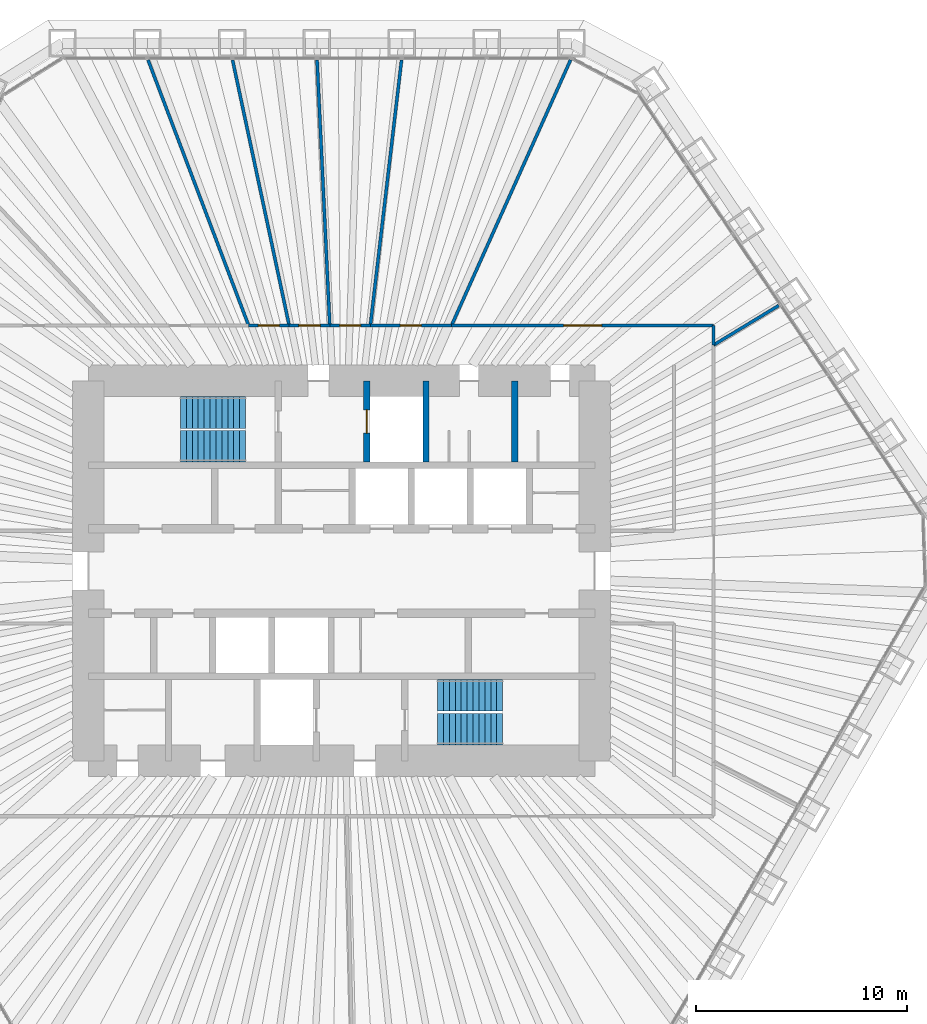
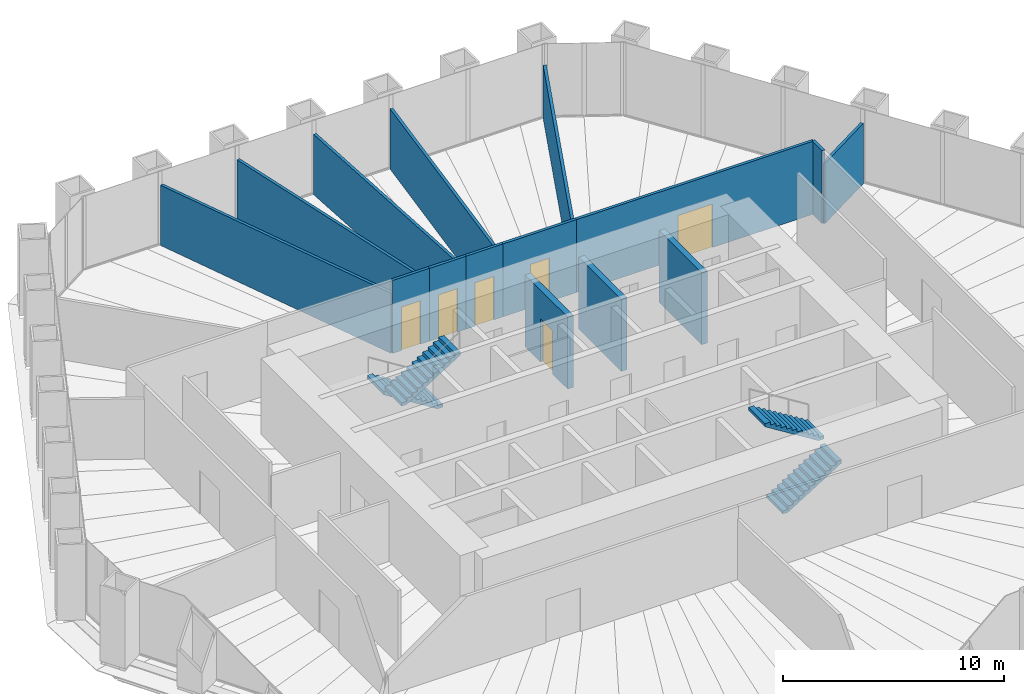
# One storey, part 12 of 13: 15 walls, 6 doors, 4 stair flights, 6 openings, 2 elements without a shape of their own.
"""IFC4 building model written with IfcOpenShell, lengths in metres."""

import ifcopenshell
import ifcopenshell.guid

model = None  # the IFC model being written
_history = None  # IfcOwnerHistory: only IFC2X3 demands one
_inside = {}  # id of a spatial element -> (the spatial element, [elements in it])
_under = {}  # id of a project, library or spatial element -> (it, [spatial elements below it])
_declared = {}  # id of a project -> (the project, [libraries it declares])
_typed = {}  # id of a type object -> (the type object, [elements of that type])
_made_of = {}  # id of a material, layer set ... -> (it, [elements and type objects made of it])


def new_model(schema):
    """Start an empty IFC model of exactly this schema.

    Asked for "IFC4X3", IfcOpenShell would pick the latest addendum, in which some entities
    have other attributes; the version numbers below select the first issue.
    IFC2X3 requires an IfcOwnerHistory on every rooted entity: one is made here for all.
    """
    global model, _history
    if schema == "IFC4X3":
        model = ifcopenshell.file(schema_version=(4, 3, 0, 0))
    else:
        model = ifcopenshell.file(schema=schema)
    _inside.clear()
    _under.clear()
    _declared.clear()
    _typed.clear()
    _made_of.clear()
    _history = None
    if model.schema == "IFC2X3":
        org = make("IfcOrganization", Name="unknown")
        user = make(
            "IfcPersonAndOrganization",
            ThePerson=make("IfcPerson", FamilyName="unknown"),
            TheOrganization=org,
        )
        app = make(
            "IfcApplication",
            ApplicationDeveloper=org,
            Version="unknown",
            ApplicationFullName="unknown",
            ApplicationIdentifier="unknown",
        )
        _history = make(
            "IfcOwnerHistory",
            OwningUser=user,
            OwningApplication=app,
            ChangeAction="ADDED",
            CreationDate=0,
        )
    return model


def make(cls, **values):
    """One entity of the class cls with the attributes given. An attribute that is None is left unset."""
    return model.create_entity(
        cls, **{name: value for name, value in values.items() if value is not None}
    )


def rooted(cls, **values):
    """An entity with a GlobalId (a new one), such as an element, a storey or a relation."""
    return make(cls, GlobalId=ifcopenshell.guid.new(), OwnerHistory=_history, **values)


def si_unit(unit_type, name, prefix=None):
    """IfcSIUnit, for example si_unit("LENGTHUNIT", "METRE", prefix="MILLI")."""
    return make("IfcSIUnit", UnitType=unit_type, Prefix=prefix, Name=name)


def assignment(units):
    """IfcUnitAssignment: the units of a project."""
    return None if units is None else make("IfcUnitAssignment", Units=units)


def point(xyz):
    """IfcCartesianPoint."""
    return None if xyz is None else make("IfcCartesianPoint", Coordinates=xyz)


def direction(xyz):
    """IfcDirection."""
    return None if xyz is None else make("IfcDirection", DirectionRatios=xyz)


def frame(location, z_axis=None, x_axis=None):
    """IfcAxis2Placement3D, a coordinate frame: its origin and axes. An axis left out is left unset."""
    return make(
        "IfcAxis2Placement3D",
        Location=point(location),
        Axis=direction(z_axis),
        RefDirection=direction(x_axis),
    )


def frame_2d(location, x_axis=None):
    """IfcAxis2Placement2D, a coordinate frame in the plane: its origin and x axis."""
    return make(
        "IfcAxis2Placement2D", Location=point(location), RefDirection=direction(x_axis)
    )


def origin():
    """The frame at (0, 0, 0) with its axes left unset."""
    return frame((0.0, 0.0, 0.0))


def place(relative_to, where):
    """IfcLocalPlacement: puts the frame where relative to a parent placement (None: the world)."""
    return make(
        "IfcLocalPlacement", PlacementRelTo=relative_to, RelativePlacement=where
    )


def context(
    kind, dimensions, precision=None, world=None, true_north=None, identifier=None
):
    """IfcGeometricRepresentationContext, for example the 3D "Model" context."""
    return make(
        "IfcGeometricRepresentationContext",
        ContextIdentifier=identifier,
        ContextType=kind,
        CoordinateSpaceDimension=dimensions,
        Precision=precision,
        WorldCoordinateSystem=world,
        TrueNorth=true_north,
    )


def subcontext(parent, identifier, kind, view, scale=None):
    """IfcGeometricRepresentationSubContext, for example "Body" below "Model"."""
    return make(
        "IfcGeometricRepresentationSubContext",
        ContextIdentifier=identifier,
        ContextType=kind,
        ParentContext=parent,
        TargetScale=scale,
        TargetView=view,
    )


def project(units=None, contexts=None):
    """IfcProject with its units and contexts."""
    return rooted(
        "IfcProject",
        Name="project",
        RepresentationContexts=contexts,
        UnitsInContext=assignment(units),
    )


def spatial(cls, under=None, at=None, **own):
    """A site, building, storey or space (cls), placed at a placement, below another one or the project."""
    s = rooted(cls, ObjectPlacement=at, **own)
    if under is not None:
        _under.setdefault(under.id(), (under, []))[1].append(s)
    return s


def polyline(points):
    """IfcPolyline through the points."""
    return make("IfcPolyline", Points=[point(p) for p in points])


def profile(cls, at=None, kind="AREA", **sizes):
    """A parametric profile (cls). Its sizes go by their IFC names, for example OverallWidth=200.0."""
    return make(cls, ProfileType=kind, Position=at, **sizes)


def rectangle(**sizes):
    """IfcRectangleProfileDef."""
    return profile("IfcRectangleProfileDef", **sizes)


def outline(outer, holes=None, kind="AREA"):
    """IfcArbitraryClosedProfileDef: a profile drawn as a closed curve; with holes, ...WithVoids."""
    if holes is None:
        return make("IfcArbitraryClosedProfileDef", ProfileType=kind, OuterCurve=outer)
    return make(
        "IfcArbitraryProfileDefWithVoids",
        ProfileType=kind,
        OuterCurve=outer,
        InnerCurves=holes,
    )


def extrude(swept, where, along, depth):
    """IfcExtrudedAreaSolid: the profile swept, set in the frame where, extruded along a direction by depth."""
    return make(
        "IfcExtrudedAreaSolid",
        SweptArea=swept,
        Position=where,
        ExtrudedDirection=direction(along),
        Depth=depth,
    )


def shape(context_of_items, identifier, shape_type, items):
    """IfcShapeRepresentation: the items that make up one representation, for example the "Body"."""
    return make(
        "IfcShapeRepresentation",
        ContextOfItems=context_of_items,
        RepresentationIdentifier=identifier,
        RepresentationType=shape_type,
        Items=items,
    )


def material(Name=None, Category=None):
    """IfcMaterial."""
    return make("IfcMaterial", Name=Name, Category=Category)


def layer(
    of_material, thickness, ventilated=None, Name=None, Category=None, Priority=None
):
    """IfcMaterialLayer: one layer of a wall or slab, of a material (None: an air gap)."""
    return make(
        "IfcMaterialLayer",
        Material=of_material,
        LayerThickness=thickness,
        IsVentilated=ventilated,
        Name=Name,
        Category=Category,
        Priority=Priority,
    )


def layer_set(layers, Name=None):
    """IfcMaterialLayerSet."""
    return make("IfcMaterialLayerSet", MaterialLayers=layers, LayerSetName=Name)


def made_of(thing, what):
    """Note that an element or type object is made of a material, layer set ...; save() writes the relation."""
    if what is not None:
        _made_of.setdefault(what.id(), (what, []))[1].append(thing)
    return thing


def type_object(cls, material=None, **own):
    """A type object (cls), such as IfcWallType, which elements share."""
    return made_of(rooted(cls, **own), material)


def element(
    cls,
    number,
    at=None,
    inside=None,
    cuts=None,
    type_object=None,
    material=None,
    context=None,
    identifier="Body",
    shape_type=None,
    held_by="IfcProductDefinitionShape",
    body=None,
    shapes=None,
    **own,
):
    """One element of the class cls, such as IfcWall. Its Tag is "e" and its number.

    at: its placement. inside: the storey or other place that contains it. cuts: it is an
    opening in that element (IfcRelVoidsElement). A single representation is given by context,
    identifier, shape_type and body (its items); several are given by shapes. held_by: the class
    of the entity that holds the representations. save() writes the other relations.
    """
    e = rooted(cls, Tag="e%d" % number, ObjectPlacement=at, **own)
    if body is not None:
        shapes = [shape(context, identifier, shape_type, body)]
    if shapes is not None:
        e.Representation = make(held_by, Representations=shapes)
    if inside is not None:
        _inside.setdefault(inside.id(), (inside, []))[1].append(e)
    if cuts is not None:
        rooted(
            "IfcRelVoidsElement", RelatingBuildingElement=cuts, RelatedOpeningElement=e
        )
    if type_object is not None:
        _typed.setdefault(type_object.id(), (type_object, []))[1].append(e)
    return made_of(e, material)


def fill(opening, filler):
    """IfcRelFillsElement: the door or window that sits in an opening."""
    return rooted(
        "IfcRelFillsElement",
        RelatingOpeningElement=opening,
        RelatedBuildingElement=filler,
    )


def aggregate(whole, parts):
    """IfcRelAggregates: a whole, such as a stair, and the parts it consists of."""
    return rooted("IfcRelAggregates", RelatingObject=whole, RelatedObjects=parts)


def save(model, path):
    """Write the relations noted so far, then the file.

    IfcRelAggregates (storeys below a building ...), IfcRelContainedInSpatialStructure (elements
    in a storey), IfcRelDefinesByType, IfcRelAssociatesMaterial and IfcRelDeclares: one each for
    every whole, place, type object, material and project.
    """
    for whole, parts in _under.values():
        aggregate(whole, parts)
    for where, things in _inside.values():
        rooted(
            "IfcRelContainedInSpatialStructure",
            RelatedElements=things,
            RelatingStructure=where,
        )
    for kind, things in _typed.values():
        rooted("IfcRelDefinesByType", RelatedObjects=things, RelatingType=kind)
    for what, things in _made_of.values():
        rooted("IfcRelAssociatesMaterial", RelatedObjects=things, RelatingMaterial=what)
    for by, libraries in _declared.values():
        rooted("IfcRelDeclares", RelatingContext=by, RelatedDefinitions=libraries)
    model.write(path)


model = new_model("IFC4")

# Units and contexts
model_context = context("Model", 3, precision=1e-05, world=origin(), true_north=direction((0.0, 1.0)))
body_context = subcontext(model_context, "Body", "Model", "MODEL_VIEW")
ifc_project = project(units=[si_unit("LENGTHUNIT", "METRE"), si_unit("AREAUNIT", "SQUARE_METRE"), si_unit("VOLUMEUNIT", "CUBIC_METRE"), si_unit("PLANEANGLEUNIT", "RADIAN"), si_unit("MASSUNIT", "GRAM", prefix="KILO")], contexts=[model_context])

# Site, building, storey
site_placement = place(None, origin())
site = spatial("IfcSite", under=ifc_project, at=site_placement, CompositionType="ELEMENT")
building_placement = place(site_placement, origin())
building = spatial("IfcBuilding", under=site, at=building_placement, Name="Qingtian Harvest Tower", CompositionType="ELEMENT")
storey_placement = place(building_placement, frame((0.0, 0.0, 140.800048828125)))
storey = spatial("IfcBuildingStorey", under=building, at=storey_placement, Name="L29", CompositionType="ELEMENT", Elevation=140.800048828125)

# Wall, opening, door
ifc_material_1 = material(Name="Precast concrete shaft panel", Category="concrete")
ifc_layer_1 = layer(ifc_material_1, 0.300048828125)
ifc_layer_set_1 = layer_set([ifc_layer_1], Name="Core shaft partition SW1 300")
wall_type_1 = type_object("IfcWallType", Name="Core shaft partition SW1 300", PredefinedType="PARTITIONING", material=ifc_layer_set_1)
wall_1_placement = place(storey_placement, frame((1.199951171875, 5.14990234375, 0.0), z_axis=(0.0, 0.0, 1.0), x_axis=(0.0, 1.0, 0.0)))
wall_1 = element("IfcWall", 1, at=wall_1_placement, inside=storey, type_object=wall_type_1, Name="Core shaft partition XN2 L29", PredefinedType="PARTITIONING", context=body_context, shape_type="SweptSolid", body=[
    extrude(rectangle(XDim=3.85009765625, YDim=0.300048828125, at=frame_2d((1.925048828125, 0.0))), origin(), (0.0, 0.0, 1.0), 3.97998046875),
])
opening_1_placement = place(wall_1_placement, frame((1.375, 0.0, 0.0)))
opening_1 = element("IfcOpeningElement", 2, at=opening_1_placement, cuts=wall_1, Name="Opening LD1", PredefinedType="OPENING", context=body_context, shape_type="SweptSolid", body=[
    extrude(rectangle(XDim=1.10009765625, YDim=2.39990234375, at=frame_2d((0.550048828125, 1.199951171875))), frame((0.0, 0.159912109375, 0.0), z_axis=(0.0, -1.0, 0.0), x_axis=(1.0, 0.0, 0.0)), (0.0, 0.0, 1.0), 0.320068359375),
])
ifc_material_2 = material(Name="Stainless steel lift landing door", Category="steel")
door_type_1 = type_object("IfcDoorType", Name="Lift landing door LD1 1 HR", OperationType="DOUBLE_DOOR_SLIDING", PredefinedType="DOOR", material=ifc_material_2)
door_1_placement = place(opening_1_placement, origin())
door_1 = element("IfcDoor", 3, at=door_1_placement, inside=storey, type_object=door_type_1, Name="FL1 landing door L29", OperationType="DOUBLE_DOOR_SLIDING", OverallHeight=2.39990234375, OverallWidth=1.10009765625, PredefinedType="DOOR", context=body_context, shape_type="SweptSolid", body=[
    extrude(rectangle(XDim=1.10009765625, YDim=2.39990234375, at=frame_2d((0.550048828125, 1.199951171875))), frame((0.0, 0.02490234375, 0.0), z_axis=(0.0, -1.0, 0.0), x_axis=(1.0, 0.0, 0.0)), (0.0, 0.0, 1.0), 0.050048828125),
])
fill(opening_1, door_1)

# Walls
for number, where, z_axis, x_axis, name in (
    (4, (4.0, 5.14990234375, 0.0), (0.0, 0.0, 1.0), (0.0, 1.0, 0.0), "Core shaft partition XN3 L29"),
    (5, (8.199951171875, 5.14990234375, 0.0), (0.0, 0.0, 1.0), (0.0, 1.0, 0.0), "Core shaft partition XN4 L29"),
):
    element("IfcWall", number, at=place(storey_placement, frame(where, z_axis=z_axis, x_axis=x_axis)), inside=storey, type_object=wall_type_1, Name=name, PredefinedType="PARTITIONING", context=body_context, shape_type="SweptSolid", body=[
        extrude(rectangle(XDim=3.85009765625, YDim=0.300048828125, at=frame_2d((1.925048828125, 0.0))), origin(), (0.0, 0.0, 1.0), 3.97998046875),
    ])
ifc_material_3 = material(Name="Gypsum board on steel studs", Category="steel")
ifc_layer_2 = layer(ifc_material_3, 0.14990234375)
ifc_layer_set_2 = layer_set([ifc_layer_2], Name="Partition PT1 150")
wall_type_2 = type_object("IfcWallType", Name="Partition PT1 150", PredefinedType="PARTITIONING", material=ifc_layer_set_2)
wall_2_placement = place(storey_placement, frame((20.71142578125, 12.571044921875, 0.0), z_axis=(0.0, 0.0, 1.0), x_axis=(-0.854862500505, -0.518854608952, 0.0)))
element("IfcWall", 6, at=wall_2_placement, inside=storey, type_object=wall_type_2, Name="Office suite wall L29", PredefinedType="PARTITIONING", context=body_context, shape_type="SweptSolid", body=[
    extrude(rectangle(XDim=3.6103515625, YDim=0.14990234375, at=frame_2d((1.80517578125, 0.0))), origin(), (0.0, 0.0, 1.0), 3.329833984375),
])
wall_3_placement = place(storey_placement, frame((-9.167236328125, 24.20654296875, 0.0), z_axis=(0.0, 0.0, 1.0), x_axis=(0.354156368181, -0.935186220427, 0.0)))
element("IfcWall", 7, at=wall_3_placement, inside=storey, type_object=wall_type_2, Name="Print room wall L29", PredefinedType="PARTITIONING", context=body_context, shape_type="SweptSolid", body=[
    extrude(rectangle(XDim=13.45361328125, YDim=0.14990234375, at=frame_2d((6.726806640625, 0.0))), origin(), (0.0, 0.0, 1.0), 3.329833984375),
])

# Wall, opening, door
wall_4_placement = place(storey_placement, frame((-4.402587890625, 11.625, 0.0), z_axis=(0.0, 0.0, 1.0), x_axis=(1.0, 0.0, 0.0)))
wall_4 = element("IfcWall", 8, at=wall_4_placement, inside=storey, type_object=wall_type_2, Name="Print room wall L29", PredefinedType="PARTITIONING", context=body_context, shape_type="SweptSolid", body=[
    extrude(rectangle(XDim=1.9228515625, YDim=0.14990234375, at=frame_2d((0.96142578125, 0.0))), origin(), (0.0, 0.0, 1.0), 4.030029296875),
])
opening_2_placement = place(wall_4_placement, frame((0.46142578125, 0.0, 0.0)))
opening_2 = element("IfcOpeningElement", 9, at=opening_2_placement, cuts=wall_4, Name="Opening D2", PredefinedType="OPENING", context=body_context, shape_type="SweptSolid", body=[
    extrude(rectangle(XDim=1.0, YDim=2.39990234375, at=frame_2d((0.5, 1.199951171875))), frame((0.0, 0.0849609375, 0.0), z_axis=(0.0, -1.0, 0.0), x_axis=(1.0, 0.0, 0.0)), (0.0, 0.0, 1.0), 0.169921875),
])
ifc_material_4 = material(Name="Laminated timber door leaf", Category="wood")
door_type_2 = type_object("IfcDoorType", Name="Room door D2 single", OperationType="SINGLE_SWING_LEFT", PredefinedType="DOOR", material=ifc_material_4)
door_2_placement = place(opening_2_placement, origin())
door_2 = element("IfcDoor", 10, at=door_2_placement, inside=storey, type_object=door_type_2, Name="Print room door L29", OperationType="SINGLE_SWING_RIGHT", OverallHeight=2.39990234375, OverallWidth=1.0, PredefinedType="DOOR", context=body_context, shape_type="SweptSolid", body=[
    extrude(rectangle(XDim=1.0, YDim=2.39990234375, at=frame_2d((0.5, 1.199951171875))), frame((0.0, 0.02490234375, 0.0), z_axis=(0.0, -1.0, 0.0), x_axis=(1.0, 0.0, 0.0)), (0.0, 0.0, 1.0), 0.050048828125),
])
fill(opening_2, door_2)

# Wall
wall_5_placement = place(storey_placement, frame((-5.16259765625, 24.2021484375, 0.0), z_axis=(0.0, 0.0, 1.0), x_axis=(0.208618861146, -0.977997019819, 0.0)))
element("IfcWall", 11, at=wall_5_placement, inside=storey, type_object=wall_type_2, Name="Store room wall L29", PredefinedType="PARTITIONING", context=body_context, shape_type="SweptSolid", body=[
    extrude(rectangle(XDim=12.860107421875, YDim=0.14990234375, at=frame_2d((6.43017578125, 0.0))), origin(), (0.0, 0.0, 1.0), 3.329833984375),
])

# Wall, opening, door
wall_6_placement = place(storey_placement, frame((-2.479736328125, 11.625, 0.0), z_axis=(0.0, 0.0, 1.0), x_axis=(1.0, 0.0, 0.0)))
wall_6 = element("IfcWall", 12, at=wall_6_placement, inside=storey, type_object=wall_type_2, Name="Store room wall L29", PredefinedType="PARTITIONING", context=body_context, shape_type="SweptSolid", body=[
    extrude(rectangle(XDim=1.922607421875, YDim=0.14990234375, at=frame_2d((0.96142578125, 0.0))), origin(), (0.0, 0.0, 1.0), 4.030029296875),
])
opening_3_placement = place(wall_6_placement, frame((0.46142578125, 0.0, 0.0)))
opening_3 = element("IfcOpeningElement", 13, at=opening_3_placement, cuts=wall_6, Name="Opening D2", PredefinedType="OPENING", context=body_context, shape_type="SweptSolid", body=[
    extrude(rectangle(XDim=1.0, YDim=2.39990234375, at=frame_2d((0.5, 1.199951171875))), frame((0.0, 0.0849609375, 0.0), z_axis=(0.0, -1.0, 0.0), x_axis=(1.0, 0.0, 0.0)), (0.0, 0.0, 1.0), 0.169921875),
])
door_3_placement = place(opening_3_placement, origin())
door_3 = element("IfcDoor", 14, at=door_3_placement, inside=storey, type_object=door_type_2, Name="Store room door L29", OperationType="SINGLE_SWING_RIGHT", OverallHeight=2.39990234375, OverallWidth=1.0, PredefinedType="DOOR", context=body_context, shape_type="SweptSolid", body=[
    extrude(rectangle(XDim=1.0, YDim=2.39990234375, at=frame_2d((0.5, 1.199951171875))), frame((0.0, 0.02490234375, 0.0), z_axis=(0.0, -1.0, 0.0), x_axis=(1.0, 0.0, 0.0)), (0.0, 0.0, 1.0), 0.050048828125),
])
fill(opening_3, door_3)

# Wall
wall_7_placement = place(storey_placement, frame((-1.15966796875, 24.2001953125, 0.0), z_axis=(0.0, 0.0, 1.0), x_axis=(0.047859979164, -0.998854054602, 0.0)))
element("IfcWall", 15, at=wall_7_placement, inside=storey, type_object=wall_type_2, Name="Focus room wall L29", PredefinedType="PARTITIONING", context=body_context, shape_type="SweptSolid", body=[
    extrude(rectangle(XDim=12.589599609375, YDim=0.14990234375, at=frame_2d((6.294921875, 0.0))), origin(), (0.0, 0.0, 1.0), 3.329833984375),
])

# Wall, opening, door
wall_8_placement = place(storey_placement, frame((-0.55712890625, 11.625, 0.0), z_axis=(0.0, 0.0, 1.0), x_axis=(1.0, 0.0, 0.0)))
wall_8 = element("IfcWall", 16, at=wall_8_placement, inside=storey, type_object=wall_type_2, Name="Focus room wall L29", PredefinedType="PARTITIONING", context=body_context, shape_type="SweptSolid", body=[
    extrude(rectangle(XDim=1.9228515625, YDim=0.14990234375, at=frame_2d((0.96142578125, 0.0))), origin(), (0.0, 0.0, 1.0), 4.030029296875),
])
opening_4_placement = place(wall_8_placement, frame((0.46142578125, 0.0, 0.0)))
opening_4 = element("IfcOpeningElement", 17, at=opening_4_placement, cuts=wall_8, Name="Opening D2", PredefinedType="OPENING", context=body_context, shape_type="SweptSolid", body=[
    extrude(rectangle(XDim=1.0, YDim=2.39990234375, at=frame_2d((0.5, 1.199951171875))), frame((0.0, 0.0849609375, 0.0), z_axis=(0.0, -1.0, 0.0), x_axis=(1.0, 0.0, 0.0)), (0.0, 0.0, 1.0), 0.169921875),
])
door_4_placement = place(opening_4_placement, origin())
door_4 = element("IfcDoor", 18, at=door_4_placement, inside=storey, type_object=door_type_2, Name="Focus room door L29", OperationType="SINGLE_SWING_RIGHT", OverallHeight=2.39990234375, OverallWidth=1.0, PredefinedType="DOOR", context=body_context, shape_type="SweptSolid", body=[
    extrude(rectangle(XDim=1.0, YDim=2.39990234375, at=frame_2d((0.5, 1.199951171875))), frame((0.0, 0.02490234375, 0.0), z_axis=(0.0, -1.0, 0.0), x_axis=(1.0, 0.0, 0.0)), (0.0, 0.0, 1.0), 0.050048828125),
])
fill(opening_4, door_4)

# Wall
wall_9_placement = place(storey_placement, frame((2.843017578125, 24.20068359375, 0.0), z_axis=(0.0, 0.0, 1.0), x_axis=(-0.116670084723, -0.993170726175, 0.0)))
element("IfcWall", 19, at=wall_9_placement, inside=storey, type_object=wall_type_2, Name="Office suite wall L29", PredefinedType="PARTITIONING", context=body_context, shape_type="SweptSolid", body=[
    extrude(rectangle(XDim=12.662109375, YDim=0.14990234375, at=frame_2d((6.3310546875, 0.0))), origin(), (0.0, 0.0, 1.0), 3.329833984375),
])

# Wall, opening, door
wall_10_placement = place(storey_placement, frame((1.36572265625, 11.625, 0.0), z_axis=(0.0, 0.0, 1.0), x_axis=(1.0, 0.0, 0.0)))
wall_10 = element("IfcWall", 20, at=wall_10_placement, inside=storey, type_object=wall_type_2, Name="Office suite wall L29", PredefinedType="PARTITIONING", context=body_context, shape_type="SweptSolid", body=[
    extrude(rectangle(XDim=3.84521484375, YDim=0.14990234375, at=frame_2d((1.922607421875, 0.0))), origin(), (0.0, 0.0, 1.0), 4.030029296875),
])
opening_5_placement = place(wall_10_placement, frame((1.422607421875, 0.0, 0.0)))
opening_5 = element("IfcOpeningElement", 21, at=opening_5_placement, cuts=wall_10, Name="Opening D2", PredefinedType="OPENING", context=body_context, shape_type="SweptSolid", body=[
    extrude(rectangle(XDim=1.0, YDim=2.39990234375, at=frame_2d((0.5, 1.199951171875))), frame((0.0, 0.0849609375, 0.0), z_axis=(0.0, -1.0, 0.0), x_axis=(1.0, 0.0, 0.0)), (0.0, 0.0, 1.0), 0.169921875),
])
door_5_placement = place(opening_5_placement, origin())
door_5 = element("IfcDoor", 22, at=door_5_placement, inside=storey, type_object=door_type_2, Name="Office suite door L29", OperationType="SINGLE_SWING_RIGHT", OverallHeight=2.39990234375, OverallWidth=1.0, PredefinedType="DOOR", context=body_context, shape_type="SweptSolid", body=[
    extrude(rectangle(XDim=1.0, YDim=2.39990234375, at=frame_2d((0.5, 1.199951171875))), frame((0.0, 0.02490234375, 0.0), z_axis=(0.0, -1.0, 0.0), x_axis=(1.0, 0.0, 0.0)), (0.0, 0.0, 1.0), 0.050048828125),
])
fill(opening_5, door_5)

# Wall
wall_11_placement = place(storey_placement, frame((10.851806640625, 24.208740234375, 0.0), z_axis=(0.0, 0.0, 1.0), x_axis=(-0.40904878746, -0.912512514696, 0.0)))
element("IfcWall", 23, at=wall_11_placement, inside=storey, type_object=wall_type_2, Name="Meeting room wall L29", PredefinedType="PARTITIONING", context=body_context, shape_type="SweptSolid", body=[
    extrude(rectangle(XDim=13.790283203125, YDim=0.14990234375, at=frame_2d((6.89501953125, 0.0))), origin(), (0.0, 0.0, 1.0), 2.929931640625),
])

# Wall, opening, door
wall_12_placement = place(storey_placement, frame((5.2109375, 11.625, 0.0), z_axis=(0.0, 0.0, 1.0), x_axis=(1.0, 0.0, 0.0)))
wall_12 = element("IfcWall", 24, at=wall_12_placement, inside=storey, type_object=wall_type_2, Name="Meeting room wall L29", PredefinedType="PARTITIONING", context=body_context, shape_type="SweptSolid", body=[
    extrude(rectangle(XDim=12.4140625, YDim=0.14990234375, at=frame_2d((6.20703125, 0.0))), origin(), (0.0, 0.0, 1.0), 4.030029296875),
])
opening_6_placement = place(wall_12_placement, frame((5.306884765625, 0.0, 0.0)))
opening_6 = element("IfcOpeningElement", 25, at=opening_6_placement, cuts=wall_12, Name="Opening D3", PredefinedType="OPENING", context=body_context, shape_type="SweptSolid", body=[
    extrude(rectangle(XDim=1.800048828125, YDim=2.39990234375, at=frame_2d((0.89990234375, 1.199951171875))), frame((0.0, 0.0849609375, 0.0), z_axis=(0.0, -1.0, 0.0), x_axis=(1.0, 0.0, 0.0)), (0.0, 0.0, 1.0), 0.169921875),
])
ifc_material_5 = material(Name="Laminated timber door leaf", Category="wood")
door_type_3 = type_object("IfcDoorType", Name="Room door D3 double", OperationType="DOUBLE_DOOR_DOUBLE_SWING", PredefinedType="DOOR", material=ifc_material_5)
door_6_placement = place(opening_6_placement, origin())
door_6 = element("IfcDoor", 26, at=door_6_placement, inside=storey, type_object=door_type_3, Name="Meeting room door L29", OperationType="DOUBLE_DOOR_DOUBLE_SWING", OverallHeight=2.39990234375, OverallWidth=1.800048828125, PredefinedType="DOOR", context=body_context, shape_type="SweptSolid", body=[
    extrude(rectangle(XDim=1.800048828125, YDim=2.39990234375, at=frame_2d((0.89990234375, 1.199951171875))), frame((0.0, 0.02490234375, 0.0), z_axis=(0.0, -1.0, 0.0), x_axis=(1.0, 0.0, 0.0)), (0.0, 0.0, 1.0), 0.050048828125),
])
fill(opening_6, door_6)

# Wall
wall_13_placement = place(storey_placement, frame((17.625, 11.625, 0.0), z_axis=(0.0, 0.0, 1.0), x_axis=(0.0, -1.0, 0.0)))
element("IfcWall", 27, at=wall_13_placement, inside=storey, type_object=wall_type_2, Name="Meeting room wall L29", PredefinedType="PARTITIONING", context=body_context, shape_type="SweptSolid", body=[
    extrude(rectangle(XDim=0.92724609375, YDim=0.14990234375, at=frame_2d((0.463623046875, 0.0))), origin(), (0.0, 0.0, 1.0), 4.030029296875),
])

# Stair, stair flights
ifc_material_6 = material(Name="Concrete fc' 35 MPa", Category="concrete")
stair_type = type_object("IfcStairType", Name="Special stair ST3 4200", PredefinedType="HALF_TURN_STAIR", material=ifc_material_6)
stair_1_placement = place(storey_placement, origin())
stair_1 = element("IfcStair", 28, at=stair_1_placement, inside=storey, type_object=stair_type, Name="Special stair S1 L29", PredefinedType="HALF_TURN_STAIR")
ifc_material_7 = material(Name="Concrete fc' 35 MPa", Category="concrete")
stair_flight_type = type_object("IfcStairFlightType", Name="Stair flight SF3 4200", PredefinedType="STRAIGHT", material=ifc_material_7)
stair_flight_1_placement = place(storey_placement, frame((-4.550048828125, 7.5, 0.0), z_axis=(0.0, 0.0, 1.0), x_axis=(-1.0, 0.0, 0.0)))
stair_flight_1 = element("IfcStairFlight", 29, at=stair_flight_1_placement, type_object=stair_flight_type, Name="S1 flight 1", NumberOfRisers=12, NumberOfTreads=11, PredefinedType="STRAIGHT", RiserHeight=0.175, TreadLength=0.28, context=body_context, shape_type="SweptSolid", body=[
    extrude(outline(polyline([(0.0, 0.0), (0.0, 0.175048828125), (0.280029296875, 0.175048828125), (0.280029296875, 0.35009765625), (0.56005859375, 0.35009765625), (0.56005859375, 0.52490234375), (0.840087890625, 0.52490234375), (0.840087890625, 0.699951171875), (1.1201171875, 0.699951171875), (1.1201171875, 0.875), (1.39990234375, 0.875), (1.39990234375, 1.050048828125), (1.679931640625, 1.050048828125), (1.679931640625, 1.22509765625), (1.9599609375, 1.22509765625), (1.9599609375, 1.39990234375), (2.239990234375, 1.39990234375), (2.239990234375, 1.574951171875), (2.52001953125, 1.574951171875), (2.52001953125, 1.75), (2.800048828125, 1.75), (2.800048828125, 1.925048828125), (3.080078125, 1.925048828125), (3.080078125, 2.10009765625), (3.080078125, 1.748291015625), (0.28271484375, 0.0), (0.0, 0.0)])), frame((0.0, 0.75, 0.0), z_axis=(0.0, -1.0, 0.0), x_axis=(1.0, 0.0, 0.0)), (0.0, 0.0, 1.0), 1.5),
])
stair_flight_2_placement = place(storey_placement, frame((-7.6298828125, 5.89990234375, 2.099853515625), z_axis=(0.0, 0.0, 1.0), x_axis=(1.0, 0.0, 0.0)))
stair_flight_2 = element("IfcStairFlight", 30, at=stair_flight_2_placement, type_object=stair_flight_type, Name="S1 flight 2", NumberOfRisers=12, NumberOfTreads=11, PredefinedType="STRAIGHT", RiserHeight=0.175, TreadLength=0.28, context=body_context, shape_type="SweptSolid", body=[
    extrude(outline(polyline([(0.0, 0.0), (0.0, 0.175048828125), (0.280029296875, 0.175048828125), (0.280029296875, 0.35009765625), (0.56005859375, 0.35009765625), (0.56005859375, 0.52490234375), (0.840087890625, 0.52490234375), (0.840087890625, 0.699951171875), (1.1201171875, 0.699951171875), (1.1201171875, 0.875), (1.39990234375, 0.875), (1.39990234375, 1.050048828125), (1.679931640625, 1.050048828125), (1.679931640625, 1.22509765625), (1.9599609375, 1.22509765625), (1.9599609375, 1.39990234375), (2.239990234375, 1.39990234375), (2.239990234375, 1.574951171875), (2.52001953125, 1.574951171875), (2.52001953125, 1.75), (2.800048828125, 1.75), (2.800048828125, 1.925048828125), (3.080078125, 1.925048828125), (3.080078125, 2.10009765625), (3.080078125, 1.748291015625), (0.28271484375, 0.0), (0.0, 0.0)])), frame((0.0, 0.75, 0.0), z_axis=(0.0, -1.0, 0.0), x_axis=(1.0, 0.0, 0.0)), (0.0, 0.0, 1.0), 1.5),
])
aggregate(stair_1, [stair_flight_1, stair_flight_2])

stair_2_placement = place(storey_placement, origin())
stair_2 = element("IfcStair", 31, at=stair_2_placement, inside=storey, type_object=stair_type, Name="Special stair S2 L29", PredefinedType="HALF_TURN_STAIR")
stair_flight_3_placement = place(storey_placement, frame((4.550048828125, -7.5, 0.0), z_axis=(0.0, 0.0, 1.0), x_axis=(1.0, 0.0, 0.0)))
stair_flight_3 = element("IfcStairFlight", 32, at=stair_flight_3_placement, type_object=stair_flight_type, Name="S2 flight 1", NumberOfRisers=12, NumberOfTreads=11, PredefinedType="STRAIGHT", RiserHeight=0.175, TreadLength=0.28, context=body_context, shape_type="SweptSolid", body=[
    extrude(outline(polyline([(0.0, 0.0), (0.0, 0.175048828125), (0.280029296875, 0.175048828125), (0.280029296875, 0.35009765625), (0.56005859375, 0.35009765625), (0.56005859375, 0.52490234375), (0.840087890625, 0.52490234375), (0.840087890625, 0.699951171875), (1.1201171875, 0.699951171875), (1.1201171875, 0.875), (1.39990234375, 0.875), (1.39990234375, 1.050048828125), (1.679931640625, 1.050048828125), (1.679931640625, 1.22509765625), (1.9599609375, 1.22509765625), (1.9599609375, 1.39990234375), (2.239990234375, 1.39990234375), (2.239990234375, 1.574951171875), (2.52001953125, 1.574951171875), (2.52001953125, 1.75), (2.800048828125, 1.75), (2.800048828125, 1.925048828125), (3.080078125, 1.925048828125), (3.080078125, 2.10009765625), (3.080078125, 1.748291015625), (0.28271484375, 0.0), (0.0, 0.0)])), frame((0.0, 0.75, 0.0), z_axis=(0.0, -1.0, 0.0), x_axis=(1.0, 0.0, 0.0)), (0.0, 0.0, 1.0), 1.5),
])
stair_flight_4_placement = place(storey_placement, frame((7.6298828125, -5.89990234375, 2.099853515625), z_axis=(0.0, 0.0, 1.0), x_axis=(-1.0, 0.0, 0.0)))
stair_flight_4 = element("IfcStairFlight", 33, at=stair_flight_4_placement, type_object=stair_flight_type, Name="S2 flight 2", NumberOfRisers=12, NumberOfTreads=11, PredefinedType="STRAIGHT", RiserHeight=0.175, TreadLength=0.28, context=body_context, shape_type="SweptSolid", body=[
    extrude(outline(polyline([(0.0, 0.0), (0.0, 0.175048828125), (0.280029296875, 0.175048828125), (0.280029296875, 0.35009765625), (0.56005859375, 0.35009765625), (0.56005859375, 0.52490234375), (0.840087890625, 0.52490234375), (0.840087890625, 0.699951171875), (1.1201171875, 0.699951171875), (1.1201171875, 0.875), (1.39990234375, 0.875), (1.39990234375, 1.050048828125), (1.679931640625, 1.050048828125), (1.679931640625, 1.22509765625), (1.9599609375, 1.22509765625), (1.9599609375, 1.39990234375), (2.239990234375, 1.39990234375), (2.239990234375, 1.574951171875), (2.52001953125, 1.574951171875), (2.52001953125, 1.75), (2.800048828125, 1.75), (2.800048828125, 1.925048828125), (3.080078125, 1.925048828125), (3.080078125, 2.10009765625), (3.080078125, 1.748291015625), (0.28271484375, 0.0), (0.0, 0.0)])), frame((0.0, 0.75, 0.0), z_axis=(0.0, -1.0, 0.0), x_axis=(1.0, 0.0, 0.0)), (0.0, 0.0, 1.0), 1.5),
])
aggregate(stair_2, [stair_flight_3, stair_flight_4])

save(model, "model.ifc")
